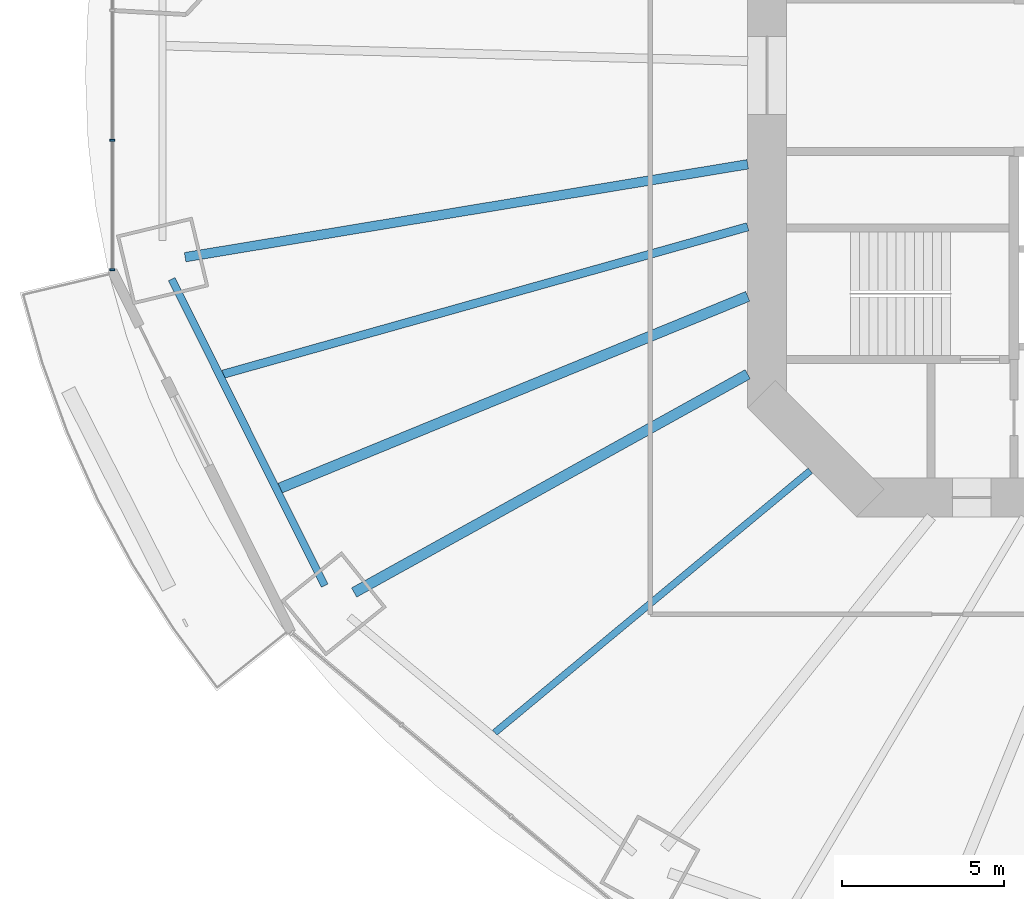
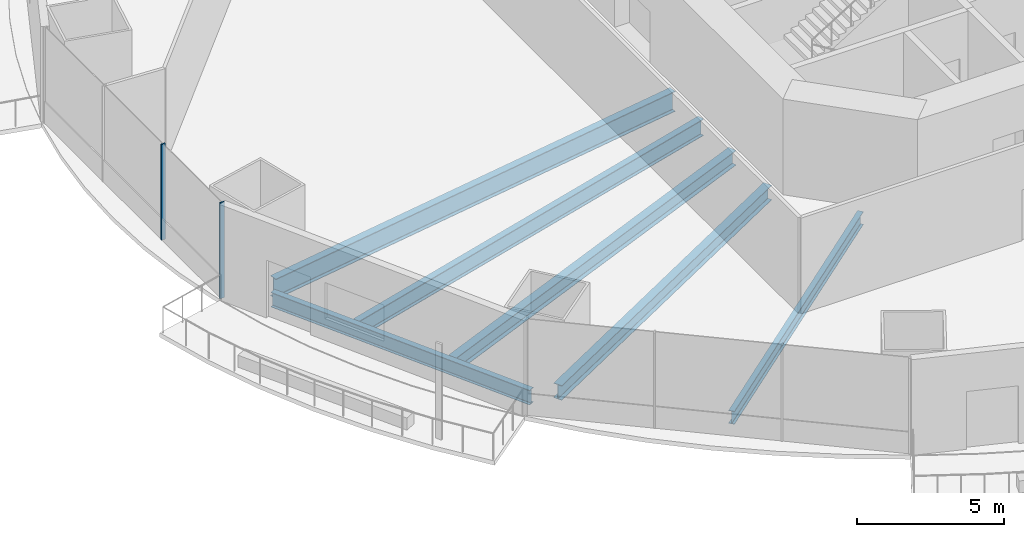
# One storey, part 3 of 23: 6 beams, 2 members, 1 element without a shape of its own.
"""IFC4 building model written with IfcOpenShell, lengths in metres."""

from ifc_helpers import new_model, si_unit, direction, frame, origin, origin_2d, place, context, subcontext, project, spatial, rectangle, i_section, extrude, material, material_profile, profile_set, type_object, element, aggregate, save


model = new_model("IFC4")

# Units and contexts
model_context = context("Model", 3, precision=1e-05, world=origin(), true_north=direction((0.0, 1.0)))
body_context = subcontext(model_context, "Body", "Model", "MODEL_VIEW")
ifc_project = project(units=[si_unit("LENGTHUNIT", "METRE"), si_unit("AREAUNIT", "SQUARE_METRE"), si_unit("VOLUMEUNIT", "CUBIC_METRE"), si_unit("PLANEANGLEUNIT", "RADIAN"), si_unit("MASSUNIT", "GRAM", prefix="KILO")], contexts=[model_context])

# Site, building, storey
site_placement = place(None, origin())
site = spatial("IfcSite", under=ifc_project, at=site_placement, CompositionType="ELEMENT")
building_placement = place(site_placement, origin())
building = spatial("IfcBuilding", under=site, at=building_placement, Name="Marenthal Gate Tower", CompositionType="ELEMENT")
storey_placement = place(building_placement, frame((0.0, 0.0, 37.14990234375)))
storey = spatial("IfcBuildingStorey", under=building, at=storey_placement, Name="L05", CompositionType="ELEMENT", Elevation=37.14990234375)

# Curtain wall, members
ifc_material_1 = material(Name="Aluminium and glass", Category="aluminium")
curtain_wall_type = type_object("IfcCurtainWallType", Name="Curtain wall typical low", PredefinedType="NOTDEFINED", material=ifc_material_1)
curtain_wall_placement = place(storey_placement, origin())
curtain_wall = element("IfcCurtainWall", 1, at=curtain_wall_placement, inside=storey, type_object=curtain_wall_type, Name="Curtain wall L05 bay 8", PredefinedType="NOTDEFINED")
ifc_material_2 = material(Name="Aluminium", Category="aluminium")
ifc_material_profile_1 = material_profile(ifc_material_2, rectangle(XDim=0.159912109375, YDim=0.06005859375, at=origin_2d()), Name="60x160 aluminium mullion")
ifc_profile_set_1 = profile_set([ifc_material_profile_1], Name="Aluminium")
member_type = type_object("IfcMemberType", Name="Mullion 60x160 typical low", PredefinedType="MULLION", material=ifc_profile_set_1)
member_1_placement = place(storey_placement, frame((-36.17138671875, -1.998046875, 0.0), z_axis=(0.0, 0.0, 1.0), x_axis=(1.0, 0.0, 0.0)))
member_1 = element("IfcMember", 2, at=member_1_placement, type_object=member_type, Name="Mullion L05 bay 8.3", PredefinedType="MULLION", context=body_context, shape_type="SweptSolid", body=[
    extrude(rectangle(XDim=0.159912109375, YDim=0.06005859375, at=origin_2d()), origin(), (0.0, 0.0, 1.0), 3.97021484375),
])
member_2_placement = place(storey_placement, frame((-36.17138671875, -5.994384765625, 0.0), z_axis=(0.0, 0.0, 1.0), x_axis=(1.0, 0.0, 0.0)))
member_2 = element("IfcMember", 3, at=member_2_placement, type_object=member_type, Name="Mullion L05 bay 8.4", PredefinedType="MULLION", context=body_context, shape_type="SweptSolid", body=[
    extrude(rectangle(XDim=0.159912109375, YDim=0.06005859375, at=origin_2d()), origin(), (0.0, 0.0, 1.0), 3.97021484375),
])
aggregate(curtain_wall, [member_1, member_2])

# Beams
ifc_material_3 = material(Name="Steel S355", Category="steel")
ifc_material_profile_2 = material_profile(ifc_material_3, i_section(OverallWidth=0.2119140625, OverallDepth=0.5439453125, WebThickness=0.01318359375, FlangeThickness=0.021240234375, FilletRadius=0.0126953125, at=origin_2d()), Name="W530X123")
ifc_profile_set_2 = profile_set([ifc_material_profile_2], Name="Steel S355")
beam_type_1 = type_object("IfcBeamType", Name="W530X123 beam", PredefinedType="BEAM", material=ifc_profile_set_2)
beam_1_placement = place(storey_placement, frame((-24.3916015625, -20.245849609375, -0.451904296875), z_axis=(0.769466511284, 0.638687159737, 0.0), x_axis=(-0.638687159737, 0.769466511284, 0.0)))
element("IfcBeam", 4, at=beam_1_placement, inside=storey, type_object=beam_type_1, Name="BM-L05-31", PredefinedType="BEAM", context=body_context, shape_type="SweptSolid", body=[
    extrude(i_section(OverallWidth=0.2119140625, OverallDepth=0.5439453125, WebThickness=0.01318359375, FlangeThickness=0.021240234375, FilletRadius=0.0126953125, at=origin_2d()), origin(), (0.0, 0.0, 1.0), 12.6328125),
])
ifc_material_4 = material(Name="Steel S355", Category="steel")
ifc_material_profile_3 = material_profile(ifc_material_4, i_section(OverallWidth=0.22900390625, OverallDepth=0.612060546875, WebThickness=0.011962890625, FlangeThickness=0.01953125, FilletRadius=0.0126953125, at=origin_2d()), Name="W610X125")
ifc_profile_set_3 = profile_set([ifc_material_profile_3], Name="Steel S355")
beam_type_2 = type_object("IfcBeamType", Name="W610X125 beam", PredefinedType="BEAM", material=ifc_profile_set_3)
beam_2_placement = place(storey_placement, frame((-34.3408203125, -6.279052734375, -0.48583984375), z_axis=(0.446519173672, -0.894774065082, 0.0), x_axis=(0.894774065082, 0.446519173672, 0.0)))
element("IfcBeam", 5, at=beam_2_placement, inside=storey, type_object=beam_type_2, Name="BM-L05-49", PredefinedType="BEAM", context=body_context, shape_type="SweptSolid", body=[
    extrude(i_section(OverallWidth=0.22900390625, OverallDepth=0.612060546875, WebThickness=0.011962890625, FlangeThickness=0.01953125, FilletRadius=0.0126953125, at=origin_2d()), origin(), (0.0, 0.0, 1.0), 10.54931640625),
])
ifc_material_5 = material(Name="Steel S355", Category="steel")
ifc_material_profile_4 = material_profile(ifc_material_5, i_section(OverallWidth=0.324951171875, OverallDepth=0.612060546875, WebThickness=0.0126953125, FlangeThickness=0.01904296875, FilletRadius=0.0126953125, at=origin_2d()), Name="W610X155")
ifc_profile_set_4 = profile_set([ifc_material_profile_4], Name="Steel S355")
beam_type_3 = type_object("IfcBeamType", Name="W610X155 beam", PredefinedType="BEAM", material=ifc_profile_set_4)
beam_3_placement = place(storey_placement, frame((-28.72314453125, -15.929931640625, -0.48583984375), z_axis=(0.874513423091, 0.485001312198, 0.0), x_axis=(-0.485001312198, 0.874513423091, 0.0)))
element("IfcBeam", 6, at=beam_3_placement, inside=storey, type_object=beam_type_3, Name="BM-L05-10", PredefinedType="BEAM", context=body_context, shape_type="SweptSolid", body=[
    extrude(i_section(OverallWidth=0.324951171875, OverallDepth=0.612060546875, WebThickness=0.0126953125, FlangeThickness=0.01904296875, FilletRadius=0.0126953125, at=origin_2d()), origin(), (0.0, 0.0, 1.0), 13.862548828125),
])
beam_4_placement = place(storey_placement, frame((-31.001708984375, -12.7138671875, -0.48583984375), z_axis=(0.925221568218, 0.379427265367, 0.0), x_axis=(-0.379427265367, 0.925221568218, 0.0)))
element("IfcBeam", 7, at=beam_4_placement, inside=storey, type_object=beam_type_3, Name="BM-L05-30", PredefinedType="BEAM", context=body_context, shape_type="SweptSolid", body=[
    extrude(i_section(OverallWidth=0.324951171875, OverallDepth=0.612060546875, WebThickness=0.0126953125, FlangeThickness=0.01904296875, FilletRadius=0.0126953125, at=origin_2d()), origin(), (0.0, 0.0, 1.0), 15.565673828125),
])
ifc_material_6 = material(Name="Steel S355", Category="steel")
ifc_material_profile_5 = material_profile(ifc_material_6, i_section(OverallWidth=0.257080078125, OverallDepth=0.693115234375, WebThickness=0.014404296875, FlangeThickness=0.023681640625, FilletRadius=0.015380859375, at=origin_2d()), Name="W690X170")
ifc_profile_set_5 = profile_set([ifc_material_profile_5], Name="Steel S355")
beam_type_4 = type_object("IfcBeamType", Name="W690X170 beam", PredefinedType="BEAM", material=ifc_profile_set_5)
beam_5_placement = place(storey_placement, frame((-32.75244140625, -9.205322265625, -0.5263671875), z_axis=(0.962698331576, 0.270577017467, 0.0), x_axis=(-0.270577017467, 0.962698331576, 0.0)))
element("IfcBeam", 8, at=beam_5_placement, inside=storey, type_object=beam_type_4, Name="BM-L05-29", PredefinedType="BEAM", context=body_context, shape_type="SweptSolid", body=[
    extrude(i_section(OverallWidth=0.257080078125, OverallDepth=0.693115234375, WebThickness=0.014404296875, FlangeThickness=0.023681640625, FilletRadius=0.015380859375, at=origin_2d()), origin(), (0.0, 0.0, 1.0), 16.7783203125),
])
ifc_material_7 = material(Name="Steel S355", Category="steel")
ifc_material_profile_6 = material_profile(ifc_material_7, i_section(OverallWidth=0.2919921875, OverallDepth=0.841064453125, WebThickness=0.0146484375, FlangeThickness=0.021728515625, FilletRadius=0.017822265625, at=origin_2d()), Name="W840X193")
ifc_profile_set_6 = profile_set([ifc_material_profile_6], Name="Steel S355")
beam_type_5 = type_object("IfcBeamType", Name="W840X193 beam", PredefinedType="BEAM", material=ifc_profile_set_6)
beam_6_placement = place(storey_placement, frame((-33.927978515625, -5.6015625, -0.600341796875), z_axis=(0.986643376601, 0.162895203762, 0.0), x_axis=(-0.162895203762, 0.986643376601, 0.0)))
element("IfcBeam", 9, at=beam_6_placement, inside=storey, type_object=beam_type_5, Name="BM-L05-09", PredefinedType="BEAM", context=body_context, shape_type="SweptSolid", body=[
    extrude(i_section(OverallWidth=0.2919921875, OverallDepth=0.841064453125, WebThickness=0.0146484375, FlangeThickness=0.021728515625, FilletRadius=0.017822265625, at=origin_2d()), origin(), (0.0, 0.0, 1.0), 17.5625),
])

save(model, "model.ifc")
